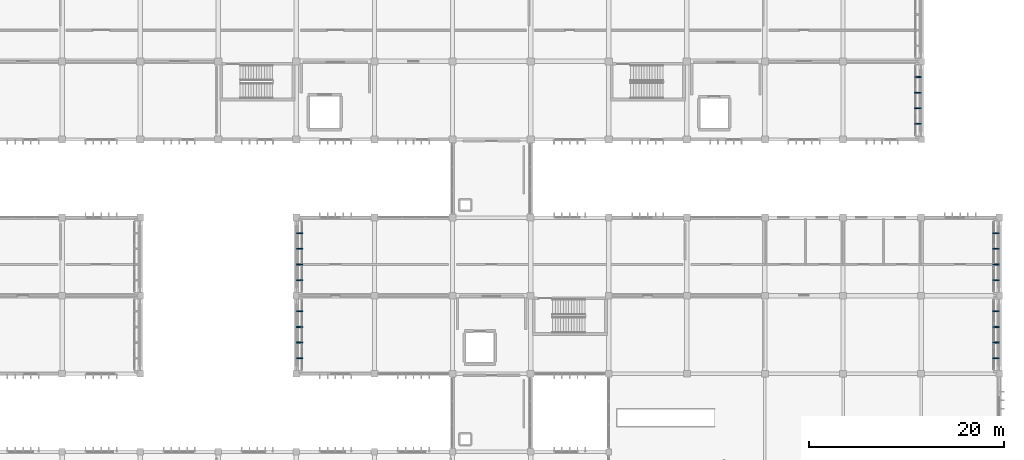
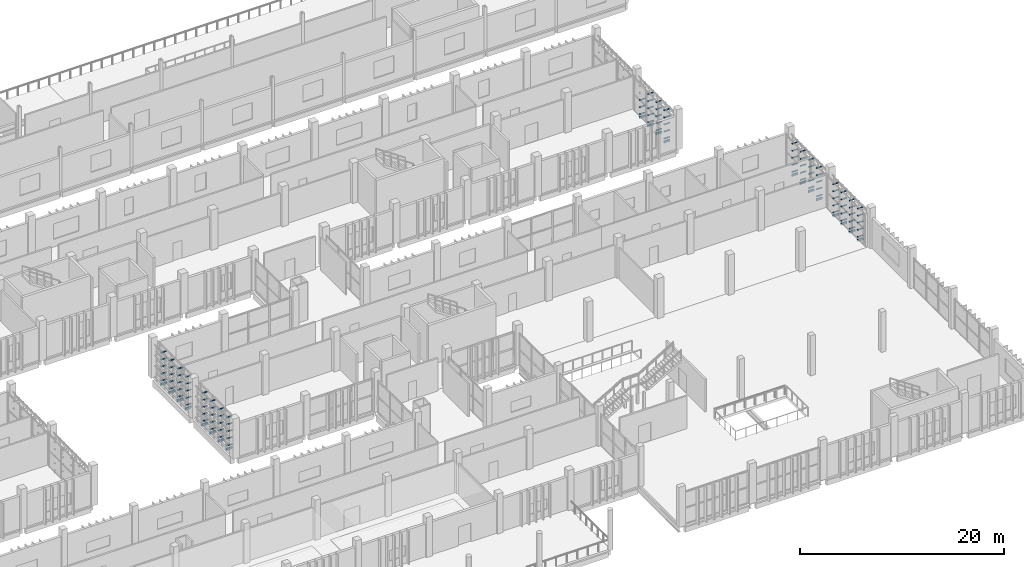
# One storey, part 96 of 106: 118 discrete accessories.
"""IFC4 building model written with IfcOpenShell, lengths in metres."""

import ifcopenshell
import ifcopenshell.guid

model = None  # the IFC model being written
_history = None  # IfcOwnerHistory: only IFC2X3 demands one
_inside = {}  # id of a spatial element -> (the spatial element, [elements in it])
_under = {}  # id of a project, library or spatial element -> (it, [spatial elements below it])
_declared = {}  # id of a project -> (the project, [libraries it declares])
_typed = {}  # id of a type object -> (the type object, [elements of that type])
_made_of = {}  # id of a material, layer set ... -> (it, [elements and type objects made of it])


def new_model(schema):
    """Start an empty IFC model of exactly this schema.

    Asked for "IFC4X3", IfcOpenShell would pick the latest addendum, in which some entities
    have other attributes; the version numbers below select the first issue.
    IFC2X3 requires an IfcOwnerHistory on every rooted entity: one is made here for all.
    """
    global model, _history
    if schema == "IFC4X3":
        model = ifcopenshell.file(schema_version=(4, 3, 0, 0))
    else:
        model = ifcopenshell.file(schema=schema)
    _inside.clear()
    _under.clear()
    _declared.clear()
    _typed.clear()
    _made_of.clear()
    _history = None
    if model.schema == "IFC2X3":
        org = make("IfcOrganization", Name="unknown")
        user = make(
            "IfcPersonAndOrganization",
            ThePerson=make("IfcPerson", FamilyName="unknown"),
            TheOrganization=org,
        )
        app = make(
            "IfcApplication",
            ApplicationDeveloper=org,
            Version="unknown",
            ApplicationFullName="unknown",
            ApplicationIdentifier="unknown",
        )
        _history = make(
            "IfcOwnerHistory",
            OwningUser=user,
            OwningApplication=app,
            ChangeAction="ADDED",
            CreationDate=0,
        )
    return model


def make(cls, **values):
    """One entity of the class cls with the attributes given. An attribute that is None is left unset."""
    return model.create_entity(
        cls, **{name: value for name, value in values.items() if value is not None}
    )


def rooted(cls, **values):
    """An entity with a GlobalId (a new one), such as an element, a storey or a relation."""
    return make(cls, GlobalId=ifcopenshell.guid.new(), OwnerHistory=_history, **values)


def si_unit(unit_type, name, prefix=None):
    """IfcSIUnit, for example si_unit("LENGTHUNIT", "METRE", prefix="MILLI")."""
    return make("IfcSIUnit", UnitType=unit_type, Prefix=prefix, Name=name)


def assignment(units):
    """IfcUnitAssignment: the units of a project."""
    return None if units is None else make("IfcUnitAssignment", Units=units)


def point(xyz):
    """IfcCartesianPoint."""
    return None if xyz is None else make("IfcCartesianPoint", Coordinates=xyz)


def direction(xyz):
    """IfcDirection."""
    return None if xyz is None else make("IfcDirection", DirectionRatios=xyz)


def frame(location, z_axis=None, x_axis=None):
    """IfcAxis2Placement3D, a coordinate frame: its origin and axes. An axis left out is left unset."""
    return make(
        "IfcAxis2Placement3D",
        Location=point(location),
        Axis=direction(z_axis),
        RefDirection=direction(x_axis),
    )


def frame_2d(location, x_axis=None):
    """IfcAxis2Placement2D, a coordinate frame in the plane: its origin and x axis."""
    return make(
        "IfcAxis2Placement2D", Location=point(location), RefDirection=direction(x_axis)
    )


def origin():
    """The frame at (0, 0, 0) with its axes left unset."""
    return frame((0.0, 0.0, 0.0))


def origin_2d():
    """The frame at (0, 0) in the plane with its x axis left unset."""
    return frame_2d((0.0, 0.0))


def place(relative_to, where):
    """IfcLocalPlacement: puts the frame where relative to a parent placement (None: the world)."""
    return make(
        "IfcLocalPlacement", PlacementRelTo=relative_to, RelativePlacement=where
    )


def context(
    kind, dimensions, precision=None, world=None, true_north=None, identifier=None
):
    """IfcGeometricRepresentationContext, for example the 3D "Model" context."""
    return make(
        "IfcGeometricRepresentationContext",
        ContextIdentifier=identifier,
        ContextType=kind,
        CoordinateSpaceDimension=dimensions,
        Precision=precision,
        WorldCoordinateSystem=world,
        TrueNorth=true_north,
    )


def subcontext(parent, identifier, kind, view, scale=None):
    """IfcGeometricRepresentationSubContext, for example "Body" below "Model"."""
    return make(
        "IfcGeometricRepresentationSubContext",
        ContextIdentifier=identifier,
        ContextType=kind,
        ParentContext=parent,
        TargetScale=scale,
        TargetView=view,
    )


def project(units=None, contexts=None):
    """IfcProject with its units and contexts."""
    return rooted(
        "IfcProject",
        Name="project",
        RepresentationContexts=contexts,
        UnitsInContext=assignment(units),
    )


def spatial(cls, under=None, at=None, **own):
    """A site, building, storey or space (cls), placed at a placement, below another one or the project."""
    s = rooted(cls, ObjectPlacement=at, **own)
    if under is not None:
        _under.setdefault(under.id(), (under, []))[1].append(s)
    return s


def profile(cls, at=None, kind="AREA", **sizes):
    """A parametric profile (cls). Its sizes go by their IFC names, for example OverallWidth=200.0."""
    return make(cls, ProfileType=kind, Position=at, **sizes)


def rectangle(**sizes):
    """IfcRectangleProfileDef."""
    return profile("IfcRectangleProfileDef", **sizes)


def extrude(swept, where, along, depth):
    """IfcExtrudedAreaSolid: the profile swept, set in the frame where, extruded along a direction by depth."""
    return make(
        "IfcExtrudedAreaSolid",
        SweptArea=swept,
        Position=where,
        ExtrudedDirection=direction(along),
        Depth=depth,
    )


def shape(context_of_items, identifier, shape_type, items):
    """IfcShapeRepresentation: the items that make up one representation, for example the "Body"."""
    return make(
        "IfcShapeRepresentation",
        ContextOfItems=context_of_items,
        RepresentationIdentifier=identifier,
        RepresentationType=shape_type,
        Items=items,
    )


def material(Name=None, Category=None):
    """IfcMaterial."""
    return make("IfcMaterial", Name=Name, Category=Category)


def made_of(thing, what):
    """Note that an element or type object is made of a material, layer set ...; save() writes the relation."""
    if what is not None:
        _made_of.setdefault(what.id(), (what, []))[1].append(thing)
    return thing


def type_object(cls, material=None, **own):
    """A type object (cls), such as IfcWallType, which elements share."""
    return made_of(rooted(cls, **own), material)


def element(
    cls,
    number,
    at=None,
    inside=None,
    cuts=None,
    type_object=None,
    material=None,
    context=None,
    identifier="Body",
    shape_type=None,
    held_by="IfcProductDefinitionShape",
    body=None,
    shapes=None,
    **own,
):
    """One element of the class cls, such as IfcWall. Its Tag is "e" and its number.

    at: its placement. inside: the storey or other place that contains it. cuts: it is an
    opening in that element (IfcRelVoidsElement). A single representation is given by context,
    identifier, shape_type and body (its items); several are given by shapes. held_by: the class
    of the entity that holds the representations. save() writes the other relations.
    """
    e = rooted(cls, Tag="e%d" % number, ObjectPlacement=at, **own)
    if body is not None:
        shapes = [shape(context, identifier, shape_type, body)]
    if shapes is not None:
        e.Representation = make(held_by, Representations=shapes)
    if inside is not None:
        _inside.setdefault(inside.id(), (inside, []))[1].append(e)
    if cuts is not None:
        rooted(
            "IfcRelVoidsElement", RelatingBuildingElement=cuts, RelatedOpeningElement=e
        )
    if type_object is not None:
        _typed.setdefault(type_object.id(), (type_object, []))[1].append(e)
    return made_of(e, material)


def aggregate(whole, parts):
    """IfcRelAggregates: a whole, such as a stair, and the parts it consists of."""
    return rooted("IfcRelAggregates", RelatingObject=whole, RelatedObjects=parts)


def save(model, path):
    """Write the relations noted so far, then the file.

    IfcRelAggregates (storeys below a building ...), IfcRelContainedInSpatialStructure (elements
    in a storey), IfcRelDefinesByType, IfcRelAssociatesMaterial and IfcRelDeclares: one each for
    every whole, place, type object, material and project.
    """
    for whole, parts in _under.values():
        aggregate(whole, parts)
    for where, things in _inside.values():
        rooted(
            "IfcRelContainedInSpatialStructure",
            RelatedElements=things,
            RelatingStructure=where,
        )
    for kind, things in _typed.values():
        rooted("IfcRelDefinesByType", RelatedObjects=things, RelatingType=kind)
    for what, things in _made_of.values():
        rooted("IfcRelAssociatesMaterial", RelatedObjects=things, RelatingMaterial=what)
    for by, libraries in _declared.values():
        rooted("IfcRelDeclares", RelatingContext=by, RelatedDefinitions=libraries)
    model.write(path)


model = new_model("IFC4")

# Units and contexts
model_context = context("Model", 3, precision=1e-05, world=origin(), true_north=direction((0.0, 1.0)))
body_context = subcontext(model_context, "Body", "Model", "MODEL_VIEW")
ifc_project = project(units=[si_unit("LENGTHUNIT", "METRE"), si_unit("AREAUNIT", "SQUARE_METRE"), si_unit("VOLUMEUNIT", "CUBIC_METRE"), si_unit("PLANEANGLEUNIT", "RADIAN"), si_unit("MASSUNIT", "GRAM", prefix="KILO")], contexts=[model_context])

# Site, building, storey
site_placement = place(None, origin())
site = spatial("IfcSite", under=ifc_project, at=site_placement, CompositionType="ELEMENT")
building_placement = place(site_placement, origin())
building = spatial("IfcBuilding", under=site, at=building_placement, Name="Jelvoka-Kovrelna Polytechnic", CompositionType="ELEMENT")
storey_placement = place(building_placement, frame((0.0, 0.0, 4.800048828125)))
storey = spatial("IfcBuildingStorey", under=building, at=storey_placement, Name="L02", CompositionType="ELEMENT", Elevation=4.800048828125)

# Discrete accessories
ifc_material = material(Name="Structural steel S355JR", Category="steel")
discrete_accessory_type = type_object("IfcDiscreteAccessoryType", Name="Bracket_Outrigger_S355", PredefinedType="BRACKET", material=ifc_material)
discrete_accessory_1_placement = place(storey_placement, frame((128.320068359375, 33.60009765625, 0.280029296875), z_axis=(0.0, 0.0, 1.0), x_axis=(1.0, 0.0, 0.0)))
element("IfcDiscreteAccessory", 1, at=discrete_accessory_1_placement, inside=storey, type_object=discrete_accessory_type, Name="L02 screen outrigger tie bracket BRKM-PLT-SCR-0501", PredefinedType="BRACKET", context=body_context, shape_type="SweptSolid", body=[
    extrude(rectangle(XDim=0.639892578125, YDim=0.080078125, at=origin_2d()), origin(), (0.0, 0.0, 1.0), 0.080078125),
])
discrete_accessory_2_placement = place(storey_placement, frame((128.340087890625, 33.60009765625, -0.199951171875), z_axis=(0.0, 0.0, 1.0), x_axis=(1.0, 0.0, 0.0)))
element("IfcDiscreteAccessory", 2, at=discrete_accessory_2_placement, inside=storey, type_object=discrete_accessory_type, Name="L02 screen outrigger tie bracket BRK-PLT-SCR-0501", PredefinedType="BRACKET", context=body_context, shape_type="SweptSolid", body=[
    extrude(rectangle(XDim=0.679931640625, YDim=0.1201171875, at=origin_2d()), origin(), (0.0, 0.0, 1.0), 0.239990234375),
])
for number, where, z_axis, x_axis, name in (
    (3, (128.320068359375, 33.60009765625, 1.122314453125), (0.0, 0.0, 1.0), (1.0, 0.0, 0.0), "L02 screen outrigger tie bracket BRKM-PLT-SCR-0502"),
    (4, (128.320068359375, 33.60009765625, 1.96484375), (0.0, 0.0, 1.0), (1.0, 0.0, 0.0), "L02 screen outrigger tie bracket BRKM-PLT-SCR-0503"),
    (5, (128.320068359375, 33.60009765625, 2.807373046875), (0.0, 0.0, 1.0), (1.0, 0.0, 0.0), "L02 screen outrigger tie bracket BRKM-PLT-SCR-0504"),
    (6, (128.320068359375, 33.60009765625, 3.64990234375), (0.0, 0.0, 1.0), (1.0, 0.0, 0.0), "L02 screen outrigger tie bracket BRKM-PLT-SCR-0505"),
    (7, (128.320068359375, 35.199951171875, 0.280029296875), (0.0, 0.0, 1.0), (1.0, 0.0, 0.0), "L02 screen outrigger tie bracket BRKM-PLT-SCR-0506"),
):
    element("IfcDiscreteAccessory", number, at=place(storey_placement, frame(where, z_axis=z_axis, x_axis=x_axis)), inside=storey, type_object=discrete_accessory_type, Name=name, PredefinedType="BRACKET", context=body_context, shape_type="SweptSolid", body=[
        extrude(rectangle(XDim=0.639892578125, YDim=0.080078125, at=origin_2d()), origin(), (0.0, 0.0, 1.0), 0.080078125),
    ])
discrete_accessory_3_placement = place(storey_placement, frame((128.340087890625, 35.199951171875, -0.199951171875), z_axis=(0.0, 0.0, 1.0), x_axis=(1.0, 0.0, 0.0)))
element("IfcDiscreteAccessory", 8, at=discrete_accessory_3_placement, inside=storey, type_object=discrete_accessory_type, Name="L02 screen outrigger tie bracket BRK-PLT-SCR-0506", PredefinedType="BRACKET", context=body_context, shape_type="SweptSolid", body=[
    extrude(rectangle(XDim=0.679931640625, YDim=0.1201171875, at=origin_2d()), origin(), (0.0, 0.0, 1.0), 0.239990234375),
])
for number, where, z_axis, x_axis, name in (
    (9, (128.320068359375, 35.199951171875, 1.122314453125), (0.0, 0.0, 1.0), (1.0, 0.0, 0.0), "L02 screen outrigger tie bracket BRKM-PLT-SCR-0507"),
    (10, (128.320068359375, 35.199951171875, 1.96484375), (0.0, 0.0, 1.0), (1.0, 0.0, 0.0), "L02 screen outrigger tie bracket BRKM-PLT-SCR-0508"),
    (11, (128.320068359375, 35.199951171875, 2.807373046875), (0.0, 0.0, 1.0), (1.0, 0.0, 0.0), "L02 screen outrigger tie bracket BRKM-PLT-SCR-0509"),
    (12, (128.320068359375, 35.199951171875, 3.64990234375), (0.0, 0.0, 1.0), (1.0, 0.0, 0.0), "L02 screen outrigger tie bracket BRKM-PLT-SCR-0510"),
    (13, (128.320068359375, 36.800048828125, 0.280029296875), (0.0, 0.0, 1.0), (1.0, 0.0, 0.0), "L02 screen outrigger tie bracket BRKM-PLT-SCR-0511"),
):
    element("IfcDiscreteAccessory", number, at=place(storey_placement, frame(where, z_axis=z_axis, x_axis=x_axis)), inside=storey, type_object=discrete_accessory_type, Name=name, PredefinedType="BRACKET", context=body_context, shape_type="SweptSolid", body=[
        extrude(rectangle(XDim=0.639892578125, YDim=0.080078125, at=origin_2d()), origin(), (0.0, 0.0, 1.0), 0.080078125),
    ])
discrete_accessory_4_placement = place(storey_placement, frame((128.340087890625, 36.800048828125, -0.199951171875), z_axis=(0.0, 0.0, 1.0), x_axis=(1.0, 0.0, 0.0)))
element("IfcDiscreteAccessory", 14, at=discrete_accessory_4_placement, inside=storey, type_object=discrete_accessory_type, Name="L02 screen outrigger tie bracket BRK-PLT-SCR-0511", PredefinedType="BRACKET", context=body_context, shape_type="SweptSolid", body=[
    extrude(rectangle(XDim=0.679931640625, YDim=0.1201171875, at=origin_2d()), origin(), (0.0, 0.0, 1.0), 0.239990234375),
])
for number, where, z_axis, x_axis, name in (
    (15, (128.320068359375, 36.800048828125, 1.122314453125), (0.0, 0.0, 1.0), (1.0, 0.0, 0.0), "L02 screen outrigger tie bracket BRKM-PLT-SCR-0512"),
    (16, (128.320068359375, 36.800048828125, 1.96484375), (0.0, 0.0, 1.0), (1.0, 0.0, 0.0), "L02 screen outrigger tie bracket BRKM-PLT-SCR-0513"),
    (17, (128.320068359375, 36.800048828125, 2.807373046875), (0.0, 0.0, 1.0), (1.0, 0.0, 0.0), "L02 screen outrigger tie bracket BRKM-PLT-SCR-0514"),
    (18, (128.320068359375, 36.800048828125, 3.64990234375), (0.0, 0.0, 1.0), (1.0, 0.0, 0.0), "L02 screen outrigger tie bracket BRKM-PLT-SCR-0515"),
    (19, (128.320068359375, 38.39990234375, 0.280029296875), (0.0, 0.0, 1.0), (1.0, 0.0, 0.0), "L02 screen outrigger tie bracket BRKM-PLT-SCR-0516"),
):
    element("IfcDiscreteAccessory", number, at=place(storey_placement, frame(where, z_axis=z_axis, x_axis=x_axis)), inside=storey, type_object=discrete_accessory_type, Name=name, PredefinedType="BRACKET", context=body_context, shape_type="SweptSolid", body=[
        extrude(rectangle(XDim=0.639892578125, YDim=0.080078125, at=origin_2d()), origin(), (0.0, 0.0, 1.0), 0.080078125),
    ])
discrete_accessory_5_placement = place(storey_placement, frame((128.340087890625, 38.39990234375, -0.199951171875), z_axis=(0.0, 0.0, 1.0), x_axis=(1.0, 0.0, 0.0)))
element("IfcDiscreteAccessory", 20, at=discrete_accessory_5_placement, inside=storey, type_object=discrete_accessory_type, Name="L02 screen outrigger tie bracket BRK-PLT-SCR-0516", PredefinedType="BRACKET", context=body_context, shape_type="SweptSolid", body=[
    extrude(rectangle(XDim=0.679931640625, YDim=0.1201171875, at=origin_2d()), origin(), (0.0, 0.0, 1.0), 0.239990234375),
])
for number, where, z_axis, x_axis, name in (
    (21, (128.320068359375, 38.39990234375, 1.122314453125), (0.0, 0.0, 1.0), (1.0, 0.0, 0.0), "L02 screen outrigger tie bracket BRKM-PLT-SCR-0517"),
    (22, (128.320068359375, 38.39990234375, 1.96484375), (0.0, 0.0, 1.0), (1.0, 0.0, 0.0), "L02 screen outrigger tie bracket BRKM-PLT-SCR-0518"),
    (23, (128.320068359375, 38.39990234375, 2.807373046875), (0.0, 0.0, 1.0), (1.0, 0.0, 0.0), "L02 screen outrigger tie bracket BRKM-PLT-SCR-0519"),
    (24, (128.320068359375, 38.39990234375, 3.64990234375), (0.0, 0.0, 1.0), (1.0, 0.0, 0.0), "L02 screen outrigger tie bracket BRKM-PLT-SCR-0520"),
    (25, (128.320068359375, 41.60009765625, 0.280029296875), (0.0, 0.0, 1.0), (1.0, 0.0, 0.0), "L02 screen outrigger tie bracket BRKM-PLT-SCR-0521"),
):
    element("IfcDiscreteAccessory", number, at=place(storey_placement, frame(where, z_axis=z_axis, x_axis=x_axis)), inside=storey, type_object=discrete_accessory_type, Name=name, PredefinedType="BRACKET", context=body_context, shape_type="SweptSolid", body=[
        extrude(rectangle(XDim=0.639892578125, YDim=0.080078125, at=origin_2d()), origin(), (0.0, 0.0, 1.0), 0.080078125),
    ])
discrete_accessory_6_placement = place(storey_placement, frame((128.340087890625, 41.60009765625, -0.199951171875), z_axis=(0.0, 0.0, 1.0), x_axis=(1.0, 0.0, 0.0)))
element("IfcDiscreteAccessory", 26, at=discrete_accessory_6_placement, inside=storey, type_object=discrete_accessory_type, Name="L02 screen outrigger tie bracket BRK-PLT-SCR-0521", PredefinedType="BRACKET", context=body_context, shape_type="SweptSolid", body=[
    extrude(rectangle(XDim=0.679931640625, YDim=0.1201171875, at=origin_2d()), origin(), (0.0, 0.0, 1.0), 0.239990234375),
])
for number, where, z_axis, x_axis, name in (
    (27, (128.320068359375, 41.60009765625, 1.122314453125), (0.0, 0.0, 1.0), (1.0, 0.0, 0.0), "L02 screen outrigger tie bracket BRKM-PLT-SCR-0522"),
    (28, (128.320068359375, 41.60009765625, 1.96484375), (0.0, 0.0, 1.0), (1.0, 0.0, 0.0), "L02 screen outrigger tie bracket BRKM-PLT-SCR-0523"),
    (29, (128.320068359375, 41.60009765625, 2.807373046875), (0.0, 0.0, 1.0), (1.0, 0.0, 0.0), "L02 screen outrigger tie bracket BRKM-PLT-SCR-0524"),
    (30, (128.320068359375, 41.60009765625, 3.64990234375), (0.0, 0.0, 1.0), (1.0, 0.0, 0.0), "L02 screen outrigger tie bracket BRKM-PLT-SCR-0525"),
    (31, (128.320068359375, 43.199951171875, 0.280029296875), (0.0, 0.0, 1.0), (1.0, 0.0, 0.0), "L02 screen outrigger tie bracket BRKM-PLT-SCR-0526"),
):
    element("IfcDiscreteAccessory", number, at=place(storey_placement, frame(where, z_axis=z_axis, x_axis=x_axis)), inside=storey, type_object=discrete_accessory_type, Name=name, PredefinedType="BRACKET", context=body_context, shape_type="SweptSolid", body=[
        extrude(rectangle(XDim=0.639892578125, YDim=0.080078125, at=origin_2d()), origin(), (0.0, 0.0, 1.0), 0.080078125),
    ])
discrete_accessory_7_placement = place(storey_placement, frame((128.340087890625, 43.199951171875, -0.199951171875), z_axis=(0.0, 0.0, 1.0), x_axis=(1.0, 0.0, 0.0)))
element("IfcDiscreteAccessory", 32, at=discrete_accessory_7_placement, inside=storey, type_object=discrete_accessory_type, Name="L02 screen outrigger tie bracket BRK-PLT-SCR-0526", PredefinedType="BRACKET", context=body_context, shape_type="SweptSolid", body=[
    extrude(rectangle(XDim=0.679931640625, YDim=0.1201171875, at=origin_2d()), origin(), (0.0, 0.0, 1.0), 0.239990234375),
])
for number, where, z_axis, x_axis, name in (
    (33, (128.320068359375, 43.199951171875, 1.122314453125), (0.0, 0.0, 1.0), (1.0, 0.0, 0.0), "L02 screen outrigger tie bracket BRKM-PLT-SCR-0527"),
    (34, (128.320068359375, 43.199951171875, 1.96484375), (0.0, 0.0, 1.0), (1.0, 0.0, 0.0), "L02 screen outrigger tie bracket BRKM-PLT-SCR-0528"),
    (35, (128.320068359375, 43.199951171875, 2.807373046875), (0.0, 0.0, 1.0), (1.0, 0.0, 0.0), "L02 screen outrigger tie bracket BRKM-PLT-SCR-0529"),
    (36, (128.320068359375, 43.199951171875, 3.64990234375), (0.0, 0.0, 1.0), (1.0, 0.0, 0.0), "L02 screen outrigger tie bracket BRKM-PLT-SCR-0530"),
    (37, (128.320068359375, 44.800048828125, 0.280029296875), (0.0, 0.0, 1.0), (1.0, 0.0, 0.0), "L02 screen outrigger tie bracket BRKM-PLT-SCR-0531"),
):
    element("IfcDiscreteAccessory", number, at=place(storey_placement, frame(where, z_axis=z_axis, x_axis=x_axis)), inside=storey, type_object=discrete_accessory_type, Name=name, PredefinedType="BRACKET", context=body_context, shape_type="SweptSolid", body=[
        extrude(rectangle(XDim=0.639892578125, YDim=0.080078125, at=origin_2d()), origin(), (0.0, 0.0, 1.0), 0.080078125),
    ])
discrete_accessory_8_placement = place(storey_placement, frame((128.340087890625, 44.800048828125, -0.199951171875), z_axis=(0.0, 0.0, 1.0), x_axis=(1.0, 0.0, 0.0)))
element("IfcDiscreteAccessory", 38, at=discrete_accessory_8_placement, inside=storey, type_object=discrete_accessory_type, Name="L02 screen outrigger tie bracket BRK-PLT-SCR-0531", PredefinedType="BRACKET", context=body_context, shape_type="SweptSolid", body=[
    extrude(rectangle(XDim=0.679931640625, YDim=0.1201171875, at=origin_2d()), origin(), (0.0, 0.0, 1.0), 0.239990234375),
])
for number, where, z_axis, x_axis, name in (
    (39, (128.320068359375, 44.800048828125, 1.122314453125), (0.0, 0.0, 1.0), (1.0, 0.0, 0.0), "L02 screen outrigger tie bracket BRKM-PLT-SCR-0532"),
    (40, (128.320068359375, 44.800048828125, 1.96484375), (0.0, 0.0, 1.0), (1.0, 0.0, 0.0), "L02 screen outrigger tie bracket BRKM-PLT-SCR-0533"),
    (41, (128.320068359375, 44.800048828125, 2.807373046875), (0.0, 0.0, 1.0), (1.0, 0.0, 0.0), "L02 screen outrigger tie bracket BRKM-PLT-SCR-0534"),
    (42, (128.320068359375, 44.800048828125, 3.64990234375), (0.0, 0.0, 1.0), (1.0, 0.0, 0.0), "L02 screen outrigger tie bracket BRKM-PLT-SCR-0535"),
    (43, (128.320068359375, 46.39990234375, 0.280029296875), (0.0, 0.0, 1.0), (1.0, 0.0, 0.0), "L02 screen outrigger tie bracket BRKM-PLT-SCR-0536"),
):
    element("IfcDiscreteAccessory", number, at=place(storey_placement, frame(where, z_axis=z_axis, x_axis=x_axis)), inside=storey, type_object=discrete_accessory_type, Name=name, PredefinedType="BRACKET", context=body_context, shape_type="SweptSolid", body=[
        extrude(rectangle(XDim=0.639892578125, YDim=0.080078125, at=origin_2d()), origin(), (0.0, 0.0, 1.0), 0.080078125),
    ])
discrete_accessory_9_placement = place(storey_placement, frame((128.340087890625, 46.39990234375, -0.199951171875), z_axis=(0.0, 0.0, 1.0), x_axis=(1.0, 0.0, 0.0)))
element("IfcDiscreteAccessory", 44, at=discrete_accessory_9_placement, inside=storey, type_object=discrete_accessory_type, Name="L02 screen outrigger tie bracket BRK-PLT-SCR-0536", PredefinedType="BRACKET", context=body_context, shape_type="SweptSolid", body=[
    extrude(rectangle(XDim=0.679931640625, YDim=0.1201171875, at=origin_2d()), origin(), (0.0, 0.0, 1.0), 0.239990234375),
])
for number, where, z_axis, x_axis, name in (
    (45, (128.320068359375, 46.39990234375, 1.122314453125), (0.0, 0.0, 1.0), (1.0, 0.0, 0.0), "L02 screen outrigger tie bracket BRKM-PLT-SCR-0537"),
    (46, (128.320068359375, 46.39990234375, 1.96484375), (0.0, 0.0, 1.0), (1.0, 0.0, 0.0), "L02 screen outrigger tie bracket BRKM-PLT-SCR-0538"),
    (47, (128.320068359375, 46.39990234375, 2.807373046875), (0.0, 0.0, 1.0), (1.0, 0.0, 0.0), "L02 screen outrigger tie bracket BRKM-PLT-SCR-0539"),
    (48, (128.320068359375, 46.39990234375, 3.64990234375), (0.0, 0.0, 1.0), (1.0, 0.0, 0.0), "L02 screen outrigger tie bracket BRKM-PLT-SCR-0540"),
    (49, (199.679931640625, 33.60009765625, 0.280029296875), (0.0, 0.0, 1.0), (1.0, 0.0, 0.0), "L02 screen outrigger tie bracket BRKM-PLT-SCR-0541"),
):
    element("IfcDiscreteAccessory", number, at=place(storey_placement, frame(where, z_axis=z_axis, x_axis=x_axis)), inside=storey, type_object=discrete_accessory_type, Name=name, PredefinedType="BRACKET", context=body_context, shape_type="SweptSolid", body=[
        extrude(rectangle(XDim=0.639892578125, YDim=0.080078125, at=origin_2d()), origin(), (0.0, 0.0, 1.0), 0.080078125),
    ])
discrete_accessory_10_placement = place(storey_placement, frame((199.659912109375, 33.60009765625, -0.199951171875), z_axis=(0.0, 0.0, 1.0), x_axis=(1.0, 0.0, 0.0)))
element("IfcDiscreteAccessory", 50, at=discrete_accessory_10_placement, inside=storey, type_object=discrete_accessory_type, Name="L02 screen outrigger tie bracket BRK-PLT-SCR-0541", PredefinedType="BRACKET", context=body_context, shape_type="SweptSolid", body=[
    extrude(rectangle(XDim=0.679931640625, YDim=0.1201171875, at=origin_2d()), origin(), (0.0, 0.0, 1.0), 0.239990234375),
])
for number, where, z_axis, x_axis, name in (
    (51, (199.679931640625, 33.60009765625, 1.122314453125), (0.0, 0.0, 1.0), (1.0, 0.0, 0.0), "L02 screen outrigger tie bracket BRKM-PLT-SCR-0542"),
    (52, (199.679931640625, 33.60009765625, 1.96484375), (0.0, 0.0, 1.0), (1.0, 0.0, 0.0), "L02 screen outrigger tie bracket BRKM-PLT-SCR-0543"),
    (53, (199.679931640625, 33.60009765625, 2.807373046875), (0.0, 0.0, 1.0), (1.0, 0.0, 0.0), "L02 screen outrigger tie bracket BRKM-PLT-SCR-0544"),
    (54, (199.679931640625, 33.60009765625, 3.64990234375), (0.0, 0.0, 1.0), (1.0, 0.0, 0.0), "L02 screen outrigger tie bracket BRKM-PLT-SCR-0545"),
    (55, (199.679931640625, 35.199951171875, 0.280029296875), (0.0, 0.0, 1.0), (1.0, 0.0, 0.0), "L02 screen outrigger tie bracket BRKM-PLT-SCR-0546"),
):
    element("IfcDiscreteAccessory", number, at=place(storey_placement, frame(where, z_axis=z_axis, x_axis=x_axis)), inside=storey, type_object=discrete_accessory_type, Name=name, PredefinedType="BRACKET", context=body_context, shape_type="SweptSolid", body=[
        extrude(rectangle(XDim=0.639892578125, YDim=0.080078125, at=origin_2d()), origin(), (0.0, 0.0, 1.0), 0.080078125),
    ])
discrete_accessory_11_placement = place(storey_placement, frame((199.659912109375, 35.199951171875, -0.199951171875), z_axis=(0.0, 0.0, 1.0), x_axis=(1.0, 0.0, 0.0)))
element("IfcDiscreteAccessory", 56, at=discrete_accessory_11_placement, inside=storey, type_object=discrete_accessory_type, Name="L02 screen outrigger tie bracket BRK-PLT-SCR-0546", PredefinedType="BRACKET", context=body_context, shape_type="SweptSolid", body=[
    extrude(rectangle(XDim=0.679931640625, YDim=0.1201171875, at=origin_2d()), origin(), (0.0, 0.0, 1.0), 0.239990234375),
])
for number, where, z_axis, x_axis, name in (
    (57, (199.679931640625, 35.199951171875, 1.122314453125), (0.0, 0.0, 1.0), (1.0, 0.0, 0.0), "L02 screen outrigger tie bracket BRKM-PLT-SCR-0547"),
    (58, (199.679931640625, 35.199951171875, 1.96484375), (0.0, 0.0, 1.0), (1.0, 0.0, 0.0), "L02 screen outrigger tie bracket BRKM-PLT-SCR-0548"),
    (59, (199.679931640625, 35.199951171875, 2.807373046875), (0.0, 0.0, 1.0), (1.0, 0.0, 0.0), "L02 screen outrigger tie bracket BRKM-PLT-SCR-0549"),
    (60, (199.679931640625, 35.199951171875, 3.64990234375), (0.0, 0.0, 1.0), (1.0, 0.0, 0.0), "L02 screen outrigger tie bracket BRKM-PLT-SCR-0550"),
    (61, (199.679931640625, 36.800048828125, 0.280029296875), (0.0, 0.0, 1.0), (1.0, 0.0, 0.0), "L02 screen outrigger tie bracket BRKM-PLT-SCR-0551"),
):
    element("IfcDiscreteAccessory", number, at=place(storey_placement, frame(where, z_axis=z_axis, x_axis=x_axis)), inside=storey, type_object=discrete_accessory_type, Name=name, PredefinedType="BRACKET", context=body_context, shape_type="SweptSolid", body=[
        extrude(rectangle(XDim=0.639892578125, YDim=0.080078125, at=origin_2d()), origin(), (0.0, 0.0, 1.0), 0.080078125),
    ])
discrete_accessory_12_placement = place(storey_placement, frame((199.659912109375, 36.800048828125, -0.199951171875), z_axis=(0.0, 0.0, 1.0), x_axis=(1.0, 0.0, 0.0)))
element("IfcDiscreteAccessory", 62, at=discrete_accessory_12_placement, inside=storey, type_object=discrete_accessory_type, Name="L02 screen outrigger tie bracket BRK-PLT-SCR-0551", PredefinedType="BRACKET", context=body_context, shape_type="SweptSolid", body=[
    extrude(rectangle(XDim=0.679931640625, YDim=0.1201171875, at=origin_2d()), origin(), (0.0, 0.0, 1.0), 0.239990234375),
])
for number, where, z_axis, x_axis, name in (
    (63, (199.679931640625, 36.800048828125, 1.122314453125), (0.0, 0.0, 1.0), (1.0, 0.0, 0.0), "L02 screen outrigger tie bracket BRKM-PLT-SCR-0552"),
    (64, (199.679931640625, 36.800048828125, 1.96484375), (0.0, 0.0, 1.0), (1.0, 0.0, 0.0), "L02 screen outrigger tie bracket BRKM-PLT-SCR-0553"),
    (65, (199.679931640625, 36.800048828125, 2.807373046875), (0.0, 0.0, 1.0), (1.0, 0.0, 0.0), "L02 screen outrigger tie bracket BRKM-PLT-SCR-0554"),
    (66, (199.679931640625, 36.800048828125, 3.64990234375), (0.0, 0.0, 1.0), (1.0, 0.0, 0.0), "L02 screen outrigger tie bracket BRKM-PLT-SCR-0555"),
    (67, (199.679931640625, 38.39990234375, 0.280029296875), (0.0, 0.0, 1.0), (1.0, 0.0, 0.0), "L02 screen outrigger tie bracket BRKM-PLT-SCR-0556"),
):
    element("IfcDiscreteAccessory", number, at=place(storey_placement, frame(where, z_axis=z_axis, x_axis=x_axis)), inside=storey, type_object=discrete_accessory_type, Name=name, PredefinedType="BRACKET", context=body_context, shape_type="SweptSolid", body=[
        extrude(rectangle(XDim=0.639892578125, YDim=0.080078125, at=origin_2d()), origin(), (0.0, 0.0, 1.0), 0.080078125),
    ])
discrete_accessory_13_placement = place(storey_placement, frame((199.659912109375, 38.39990234375, -0.199951171875), z_axis=(0.0, 0.0, 1.0), x_axis=(1.0, 0.0, 0.0)))
element("IfcDiscreteAccessory", 68, at=discrete_accessory_13_placement, inside=storey, type_object=discrete_accessory_type, Name="L02 screen outrigger tie bracket BRK-PLT-SCR-0556", PredefinedType="BRACKET", context=body_context, shape_type="SweptSolid", body=[
    extrude(rectangle(XDim=0.679931640625, YDim=0.1201171875, at=origin_2d()), origin(), (0.0, 0.0, 1.0), 0.239990234375),
])
for number, where, z_axis, x_axis, name in (
    (69, (199.679931640625, 38.39990234375, 1.122314453125), (0.0, 0.0, 1.0), (1.0, 0.0, 0.0), "L02 screen outrigger tie bracket BRKM-PLT-SCR-0557"),
    (70, (199.679931640625, 38.39990234375, 1.96484375), (0.0, 0.0, 1.0), (1.0, 0.0, 0.0), "L02 screen outrigger tie bracket BRKM-PLT-SCR-0558"),
    (71, (199.679931640625, 38.39990234375, 2.807373046875), (0.0, 0.0, 1.0), (1.0, 0.0, 0.0), "L02 screen outrigger tie bracket BRKM-PLT-SCR-0559"),
    (72, (199.679931640625, 38.39990234375, 3.64990234375), (0.0, 0.0, 1.0), (1.0, 0.0, 0.0), "L02 screen outrigger tie bracket BRKM-PLT-SCR-0560"),
    (73, (199.679931640625, 41.60009765625, 0.280029296875), (0.0, 0.0, 1.0), (1.0, 0.0, 0.0), "L02 screen outrigger tie bracket BRKM-PLT-SCR-0561"),
):
    element("IfcDiscreteAccessory", number, at=place(storey_placement, frame(where, z_axis=z_axis, x_axis=x_axis)), inside=storey, type_object=discrete_accessory_type, Name=name, PredefinedType="BRACKET", context=body_context, shape_type="SweptSolid", body=[
        extrude(rectangle(XDim=0.639892578125, YDim=0.080078125, at=origin_2d()), origin(), (0.0, 0.0, 1.0), 0.080078125),
    ])
discrete_accessory_14_placement = place(storey_placement, frame((199.659912109375, 41.60009765625, -0.199951171875), z_axis=(0.0, 0.0, 1.0), x_axis=(1.0, 0.0, 0.0)))
element("IfcDiscreteAccessory", 74, at=discrete_accessory_14_placement, inside=storey, type_object=discrete_accessory_type, Name="L02 screen outrigger tie bracket BRK-PLT-SCR-0561", PredefinedType="BRACKET", context=body_context, shape_type="SweptSolid", body=[
    extrude(rectangle(XDim=0.679931640625, YDim=0.1201171875, at=origin_2d()), origin(), (0.0, 0.0, 1.0), 0.239990234375),
])
for number, where, z_axis, x_axis, name in (
    (75, (199.679931640625, 41.60009765625, 1.122314453125), (0.0, 0.0, 1.0), (1.0, 0.0, 0.0), "L02 screen outrigger tie bracket BRKM-PLT-SCR-0562"),
    (76, (199.679931640625, 41.60009765625, 1.96484375), (0.0, 0.0, 1.0), (1.0, 0.0, 0.0), "L02 screen outrigger tie bracket BRKM-PLT-SCR-0563"),
    (77, (199.679931640625, 41.60009765625, 2.807373046875), (0.0, 0.0, 1.0), (1.0, 0.0, 0.0), "L02 screen outrigger tie bracket BRKM-PLT-SCR-0564"),
    (78, (199.679931640625, 41.60009765625, 3.64990234375), (0.0, 0.0, 1.0), (1.0, 0.0, 0.0), "L02 screen outrigger tie bracket BRKM-PLT-SCR-0565"),
    (79, (199.679931640625, 43.199951171875, 0.280029296875), (0.0, 0.0, 1.0), (1.0, 0.0, 0.0), "L02 screen outrigger tie bracket BRKM-PLT-SCR-0566"),
):
    element("IfcDiscreteAccessory", number, at=place(storey_placement, frame(where, z_axis=z_axis, x_axis=x_axis)), inside=storey, type_object=discrete_accessory_type, Name=name, PredefinedType="BRACKET", context=body_context, shape_type="SweptSolid", body=[
        extrude(rectangle(XDim=0.639892578125, YDim=0.080078125, at=origin_2d()), origin(), (0.0, 0.0, 1.0), 0.080078125),
    ])
discrete_accessory_15_placement = place(storey_placement, frame((199.659912109375, 43.199951171875, -0.199951171875), z_axis=(0.0, 0.0, 1.0), x_axis=(1.0, 0.0, 0.0)))
element("IfcDiscreteAccessory", 80, at=discrete_accessory_15_placement, inside=storey, type_object=discrete_accessory_type, Name="L02 screen outrigger tie bracket BRK-PLT-SCR-0566", PredefinedType="BRACKET", context=body_context, shape_type="SweptSolid", body=[
    extrude(rectangle(XDim=0.679931640625, YDim=0.1201171875, at=origin_2d()), origin(), (0.0, 0.0, 1.0), 0.239990234375),
])
for number, where, z_axis, x_axis, name in (
    (81, (199.679931640625, 43.199951171875, 1.122314453125), (0.0, 0.0, 1.0), (1.0, 0.0, 0.0), "L02 screen outrigger tie bracket BRKM-PLT-SCR-0567"),
    (82, (199.679931640625, 43.199951171875, 1.96484375), (0.0, 0.0, 1.0), (1.0, 0.0, 0.0), "L02 screen outrigger tie bracket BRKM-PLT-SCR-0568"),
    (83, (199.679931640625, 43.199951171875, 2.807373046875), (0.0, 0.0, 1.0), (1.0, 0.0, 0.0), "L02 screen outrigger tie bracket BRKM-PLT-SCR-0569"),
    (84, (199.679931640625, 43.199951171875, 3.64990234375), (0.0, 0.0, 1.0), (1.0, 0.0, 0.0), "L02 screen outrigger tie bracket BRKM-PLT-SCR-0570"),
    (85, (199.679931640625, 44.800048828125, 0.280029296875), (0.0, 0.0, 1.0), (1.0, 0.0, 0.0), "L02 screen outrigger tie bracket BRKM-PLT-SCR-0571"),
):
    element("IfcDiscreteAccessory", number, at=place(storey_placement, frame(where, z_axis=z_axis, x_axis=x_axis)), inside=storey, type_object=discrete_accessory_type, Name=name, PredefinedType="BRACKET", context=body_context, shape_type="SweptSolid", body=[
        extrude(rectangle(XDim=0.639892578125, YDim=0.080078125, at=origin_2d()), origin(), (0.0, 0.0, 1.0), 0.080078125),
    ])
discrete_accessory_16_placement = place(storey_placement, frame((199.659912109375, 44.800048828125, -0.199951171875), z_axis=(0.0, 0.0, 1.0), x_axis=(1.0, 0.0, 0.0)))
element("IfcDiscreteAccessory", 86, at=discrete_accessory_16_placement, inside=storey, type_object=discrete_accessory_type, Name="L02 screen outrigger tie bracket BRK-PLT-SCR-0571", PredefinedType="BRACKET", context=body_context, shape_type="SweptSolid", body=[
    extrude(rectangle(XDim=0.679931640625, YDim=0.1201171875, at=origin_2d()), origin(), (0.0, 0.0, 1.0), 0.239990234375),
])
for number, where, z_axis, x_axis, name in (
    (87, (199.679931640625, 44.800048828125, 1.122314453125), (0.0, 0.0, 1.0), (1.0, 0.0, 0.0), "L02 screen outrigger tie bracket BRKM-PLT-SCR-0572"),
    (88, (199.679931640625, 44.800048828125, 1.96484375), (0.0, 0.0, 1.0), (1.0, 0.0, 0.0), "L02 screen outrigger tie bracket BRKM-PLT-SCR-0573"),
    (89, (199.679931640625, 44.800048828125, 2.807373046875), (0.0, 0.0, 1.0), (1.0, 0.0, 0.0), "L02 screen outrigger tie bracket BRKM-PLT-SCR-0574"),
    (90, (199.679931640625, 44.800048828125, 3.64990234375), (0.0, 0.0, 1.0), (1.0, 0.0, 0.0), "L02 screen outrigger tie bracket BRKM-PLT-SCR-0575"),
    (91, (199.679931640625, 46.39990234375, 0.280029296875), (0.0, 0.0, 1.0), (1.0, 0.0, 0.0), "L02 screen outrigger tie bracket BRKM-PLT-SCR-0576"),
):
    element("IfcDiscreteAccessory", number, at=place(storey_placement, frame(where, z_axis=z_axis, x_axis=x_axis)), inside=storey, type_object=discrete_accessory_type, Name=name, PredefinedType="BRACKET", context=body_context, shape_type="SweptSolid", body=[
        extrude(rectangle(XDim=0.639892578125, YDim=0.080078125, at=origin_2d()), origin(), (0.0, 0.0, 1.0), 0.080078125),
    ])
discrete_accessory_17_placement = place(storey_placement, frame((199.659912109375, 46.39990234375, -0.199951171875), z_axis=(0.0, 0.0, 1.0), x_axis=(1.0, 0.0, 0.0)))
element("IfcDiscreteAccessory", 92, at=discrete_accessory_17_placement, inside=storey, type_object=discrete_accessory_type, Name="L02 screen outrigger tie bracket BRK-PLT-SCR-0576", PredefinedType="BRACKET", context=body_context, shape_type="SweptSolid", body=[
    extrude(rectangle(XDim=0.679931640625, YDim=0.1201171875, at=origin_2d()), origin(), (0.0, 0.0, 1.0), 0.239990234375),
])
for number, where, z_axis, x_axis, name in (
    (93, (199.679931640625, 46.39990234375, 1.122314453125), (0.0, 0.0, 1.0), (1.0, 0.0, 0.0), "L02 screen outrigger tie bracket BRKM-PLT-SCR-0577"),
    (94, (199.679931640625, 46.39990234375, 1.96484375), (0.0, 0.0, 1.0), (1.0, 0.0, 0.0), "L02 screen outrigger tie bracket BRKM-PLT-SCR-0578"),
    (95, (199.679931640625, 46.39990234375, 2.807373046875), (0.0, 0.0, 1.0), (1.0, 0.0, 0.0), "L02 screen outrigger tie bracket BRKM-PLT-SCR-0579"),
    (96, (199.679931640625, 46.39990234375, 3.64990234375), (0.0, 0.0, 1.0), (1.0, 0.0, 0.0), "L02 screen outrigger tie bracket BRKM-PLT-SCR-0580"),
    (97, (191.679931640625, 57.60009765625, 0.280029296875), (0.0, 0.0, 1.0), (1.0, 0.0, 0.0), "L02 screen outrigger tie bracket BRKM-PLT-SCR-1001"),
):
    element("IfcDiscreteAccessory", number, at=place(storey_placement, frame(where, z_axis=z_axis, x_axis=x_axis)), inside=storey, type_object=discrete_accessory_type, Name=name, PredefinedType="BRACKET", context=body_context, shape_type="SweptSolid", body=[
        extrude(rectangle(XDim=0.639892578125, YDim=0.080078125, at=origin_2d()), origin(), (0.0, 0.0, 1.0), 0.080078125),
    ])
discrete_accessory_18_placement = place(storey_placement, frame((191.659912109375, 57.60009765625, -0.199951171875), z_axis=(0.0, 0.0, 1.0), x_axis=(1.0, 0.0, 0.0)))
element("IfcDiscreteAccessory", 98, at=discrete_accessory_18_placement, inside=storey, type_object=discrete_accessory_type, Name="L02 screen outrigger tie bracket BRK-PLT-SCR-1001", PredefinedType="BRACKET", context=body_context, shape_type="SweptSolid", body=[
    extrude(rectangle(XDim=0.679931640625, YDim=0.1201171875, at=origin_2d()), origin(), (0.0, 0.0, 1.0), 0.239990234375),
])
for number, where, z_axis, x_axis, name in (
    (99, (191.679931640625, 57.60009765625, 1.122314453125), (0.0, 0.0, 1.0), (1.0, 0.0, 0.0), "L02 screen outrigger tie bracket BRKM-PLT-SCR-1002"),
    (100, (191.679931640625, 57.60009765625, 1.96484375), (0.0, 0.0, 1.0), (1.0, 0.0, 0.0), "L02 screen outrigger tie bracket BRKM-PLT-SCR-1003"),
    (101, (191.679931640625, 57.60009765625, 2.807373046875), (0.0, 0.0, 1.0), (1.0, 0.0, 0.0), "L02 screen outrigger tie bracket BRKM-PLT-SCR-1004"),
    (102, (191.679931640625, 57.60009765625, 3.64990234375), (0.0, 0.0, 1.0), (1.0, 0.0, 0.0), "L02 screen outrigger tie bracket BRKM-PLT-SCR-1005"),
    (103, (191.679931640625, 59.199951171875, 0.280029296875), (0.0, 0.0, 1.0), (1.0, 0.0, 0.0), "L02 screen outrigger tie bracket BRKM-PLT-SCR-1006"),
):
    element("IfcDiscreteAccessory", number, at=place(storey_placement, frame(where, z_axis=z_axis, x_axis=x_axis)), inside=storey, type_object=discrete_accessory_type, Name=name, PredefinedType="BRACKET", context=body_context, shape_type="SweptSolid", body=[
        extrude(rectangle(XDim=0.639892578125, YDim=0.080078125, at=origin_2d()), origin(), (0.0, 0.0, 1.0), 0.080078125),
    ])
discrete_accessory_19_placement = place(storey_placement, frame((191.659912109375, 59.199951171875, -0.199951171875), z_axis=(0.0, 0.0, 1.0), x_axis=(1.0, 0.0, 0.0)))
element("IfcDiscreteAccessory", 104, at=discrete_accessory_19_placement, inside=storey, type_object=discrete_accessory_type, Name="L02 screen outrigger tie bracket BRK-PLT-SCR-1006", PredefinedType="BRACKET", context=body_context, shape_type="SweptSolid", body=[
    extrude(rectangle(XDim=0.679931640625, YDim=0.1201171875, at=origin_2d()), origin(), (0.0, 0.0, 1.0), 0.239990234375),
])
for number, where, z_axis, x_axis, name in (
    (105, (191.679931640625, 59.199951171875, 1.122314453125), (0.0, 0.0, 1.0), (1.0, 0.0, 0.0), "L02 screen outrigger tie bracket BRKM-PLT-SCR-1007"),
    (106, (191.679931640625, 59.199951171875, 1.96484375), (0.0, 0.0, 1.0), (1.0, 0.0, 0.0), "L02 screen outrigger tie bracket BRKM-PLT-SCR-1008"),
    (107, (191.679931640625, 59.199951171875, 2.807373046875), (0.0, 0.0, 1.0), (1.0, 0.0, 0.0), "L02 screen outrigger tie bracket BRKM-PLT-SCR-1009"),
    (108, (191.679931640625, 59.199951171875, 3.64990234375), (0.0, 0.0, 1.0), (1.0, 0.0, 0.0), "L02 screen outrigger tie bracket BRKM-PLT-SCR-1010"),
    (109, (191.679931640625, 60.800048828125, 0.280029296875), (0.0, 0.0, 1.0), (1.0, 0.0, 0.0), "L02 screen outrigger tie bracket BRKM-PLT-SCR-1011"),
):
    element("IfcDiscreteAccessory", number, at=place(storey_placement, frame(where, z_axis=z_axis, x_axis=x_axis)), inside=storey, type_object=discrete_accessory_type, Name=name, PredefinedType="BRACKET", context=body_context, shape_type="SweptSolid", body=[
        extrude(rectangle(XDim=0.639892578125, YDim=0.080078125, at=origin_2d()), origin(), (0.0, 0.0, 1.0), 0.080078125),
    ])
discrete_accessory_20_placement = place(storey_placement, frame((191.659912109375, 60.800048828125, -0.199951171875), z_axis=(0.0, 0.0, 1.0), x_axis=(1.0, 0.0, 0.0)))
element("IfcDiscreteAccessory", 110, at=discrete_accessory_20_placement, inside=storey, type_object=discrete_accessory_type, Name="L02 screen outrigger tie bracket BRK-PLT-SCR-1011", PredefinedType="BRACKET", context=body_context, shape_type="SweptSolid", body=[
    extrude(rectangle(XDim=0.679931640625, YDim=0.1201171875, at=origin_2d()), origin(), (0.0, 0.0, 1.0), 0.239990234375),
])
for number, where, z_axis, x_axis, name in (
    (111, (191.679931640625, 60.800048828125, 1.122314453125), (0.0, 0.0, 1.0), (1.0, 0.0, 0.0), "L02 screen outrigger tie bracket BRKM-PLT-SCR-1012"),
    (112, (191.679931640625, 60.800048828125, 1.96484375), (0.0, 0.0, 1.0), (1.0, 0.0, 0.0), "L02 screen outrigger tie bracket BRKM-PLT-SCR-1013"),
    (113, (191.679931640625, 60.800048828125, 2.807373046875), (0.0, 0.0, 1.0), (1.0, 0.0, 0.0), "L02 screen outrigger tie bracket BRKM-PLT-SCR-1014"),
    (114, (191.679931640625, 60.800048828125, 3.64990234375), (0.0, 0.0, 1.0), (1.0, 0.0, 0.0), "L02 screen outrigger tie bracket BRKM-PLT-SCR-1015"),
    (115, (191.679931640625, 62.39990234375, 0.280029296875), (0.0, 0.0, 1.0), (1.0, 0.0, 0.0), "L02 screen outrigger tie bracket BRKM-PLT-SCR-1016"),
):
    element("IfcDiscreteAccessory", number, at=place(storey_placement, frame(where, z_axis=z_axis, x_axis=x_axis)), inside=storey, type_object=discrete_accessory_type, Name=name, PredefinedType="BRACKET", context=body_context, shape_type="SweptSolid", body=[
        extrude(rectangle(XDim=0.639892578125, YDim=0.080078125, at=origin_2d()), origin(), (0.0, 0.0, 1.0), 0.080078125),
    ])
discrete_accessory_21_placement = place(storey_placement, frame((191.659912109375, 62.39990234375, -0.199951171875), z_axis=(0.0, 0.0, 1.0), x_axis=(1.0, 0.0, 0.0)))
element("IfcDiscreteAccessory", 116, at=discrete_accessory_21_placement, inside=storey, type_object=discrete_accessory_type, Name="L02 screen outrigger tie bracket BRK-PLT-SCR-1016", PredefinedType="BRACKET", context=body_context, shape_type="SweptSolid", body=[
    extrude(rectangle(XDim=0.679931640625, YDim=0.1201171875, at=origin_2d()), origin(), (0.0, 0.0, 1.0), 0.239990234375),
])
for number, where, z_axis, x_axis, name in (
    (117, (191.679931640625, 62.39990234375, 1.122314453125), (0.0, 0.0, 1.0), (1.0, 0.0, 0.0), "L02 screen outrigger tie bracket BRKM-PLT-SCR-1017"),
    (118, (191.679931640625, 62.39990234375, 1.96484375), (0.0, 0.0, 1.0), (1.0, 0.0, 0.0), "L02 screen outrigger tie bracket BRKM-PLT-SCR-1018"),
):
    element("IfcDiscreteAccessory", number, at=place(storey_placement, frame(where, z_axis=z_axis, x_axis=x_axis)), inside=storey, type_object=discrete_accessory_type, Name=name, PredefinedType="BRACKET", context=body_context, shape_type="SweptSolid", body=[
        extrude(rectangle(XDim=0.639892578125, YDim=0.080078125, at=origin_2d()), origin(), (0.0, 0.0, 1.0), 0.080078125),
    ])

save(model, "model.ifc")
